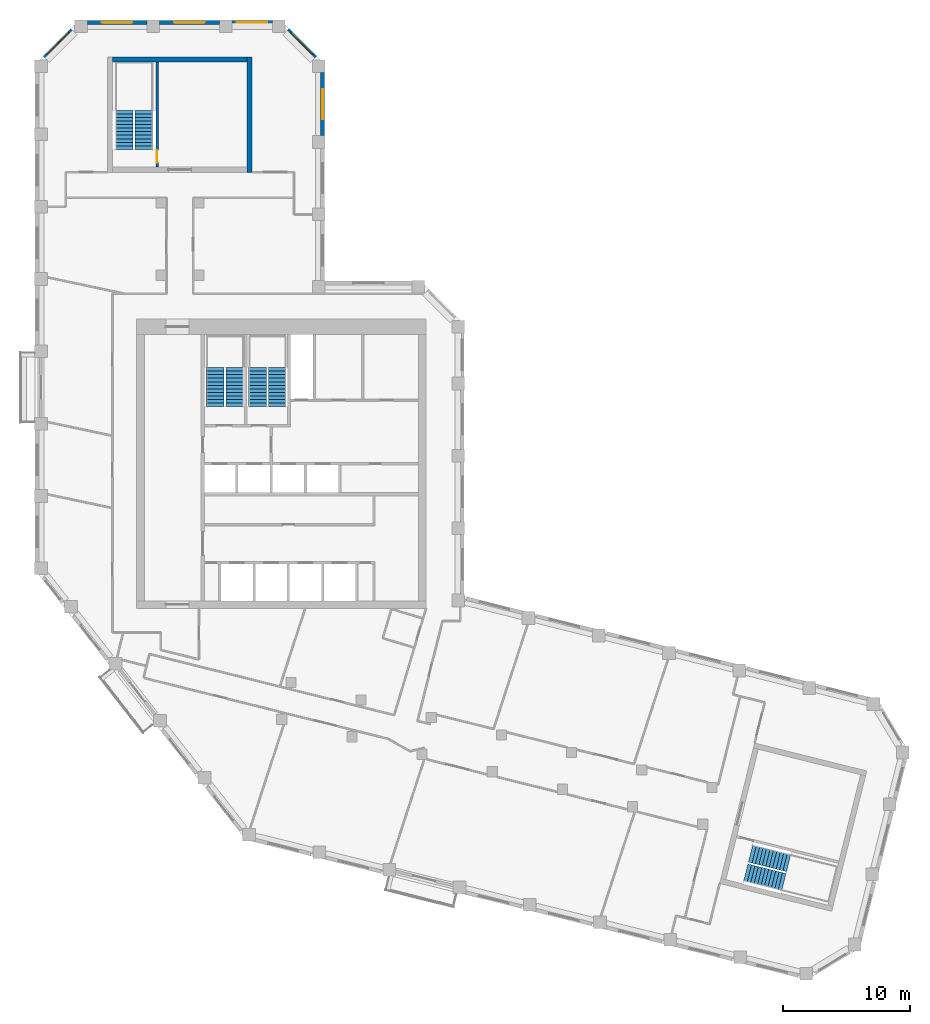
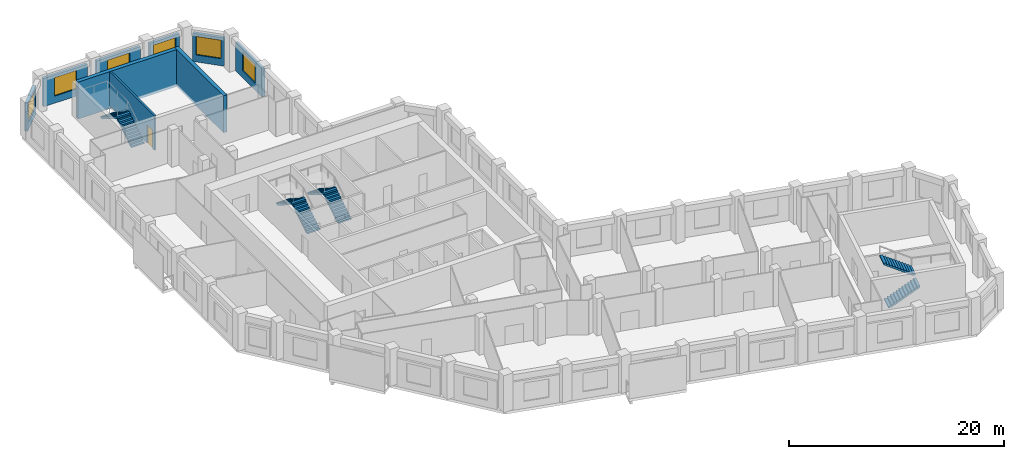
# One storey, part 8 of 9: 9 walls, 8 stair flights, 6 windows, 1 door, 7 openings, 4 elements without a shape of their own.
"""IFC4 building model written with IfcOpenShell, lengths in metres."""

import ifcopenshell
import ifcopenshell.guid

model = None  # the IFC model being written
_history = None  # IfcOwnerHistory: only IFC2X3 demands one
_inside = {}  # id of a spatial element -> (the spatial element, [elements in it])
_under = {}  # id of a project, library or spatial element -> (it, [spatial elements below it])
_declared = {}  # id of a project -> (the project, [libraries it declares])
_typed = {}  # id of a type object -> (the type object, [elements of that type])
_made_of = {}  # id of a material, layer set ... -> (it, [elements and type objects made of it])


def new_model(schema):
    """Start an empty IFC model of exactly this schema.

    Asked for "IFC4X3", IfcOpenShell would pick the latest addendum, in which some entities
    have other attributes; the version numbers below select the first issue.
    IFC2X3 requires an IfcOwnerHistory on every rooted entity: one is made here for all.
    """
    global model, _history
    if schema == "IFC4X3":
        model = ifcopenshell.file(schema_version=(4, 3, 0, 0))
    else:
        model = ifcopenshell.file(schema=schema)
    _inside.clear()
    _under.clear()
    _declared.clear()
    _typed.clear()
    _made_of.clear()
    _history = None
    if model.schema == "IFC2X3":
        org = make("IfcOrganization", Name="unknown")
        user = make(
            "IfcPersonAndOrganization",
            ThePerson=make("IfcPerson", FamilyName="unknown"),
            TheOrganization=org,
        )
        app = make(
            "IfcApplication",
            ApplicationDeveloper=org,
            Version="unknown",
            ApplicationFullName="unknown",
            ApplicationIdentifier="unknown",
        )
        _history = make(
            "IfcOwnerHistory",
            OwningUser=user,
            OwningApplication=app,
            ChangeAction="ADDED",
            CreationDate=0,
        )
    return model


def make(cls, **values):
    """One entity of the class cls with the attributes given. An attribute that is None is left unset."""
    return model.create_entity(
        cls, **{name: value for name, value in values.items() if value is not None}
    )


def rooted(cls, **values):
    """An entity with a GlobalId (a new one), such as an element, a storey or a relation."""
    return make(cls, GlobalId=ifcopenshell.guid.new(), OwnerHistory=_history, **values)


def si_unit(unit_type, name, prefix=None):
    """IfcSIUnit, for example si_unit("LENGTHUNIT", "METRE", prefix="MILLI")."""
    return make("IfcSIUnit", UnitType=unit_type, Prefix=prefix, Name=name)


def assignment(units):
    """IfcUnitAssignment: the units of a project."""
    return None if units is None else make("IfcUnitAssignment", Units=units)


def point(xyz):
    """IfcCartesianPoint."""
    return None if xyz is None else make("IfcCartesianPoint", Coordinates=xyz)


def direction(xyz):
    """IfcDirection."""
    return None if xyz is None else make("IfcDirection", DirectionRatios=xyz)


def frame(location, z_axis=None, x_axis=None):
    """IfcAxis2Placement3D, a coordinate frame: its origin and axes. An axis left out is left unset."""
    return make(
        "IfcAxis2Placement3D",
        Location=point(location),
        Axis=direction(z_axis),
        RefDirection=direction(x_axis),
    )


def frame_2d(location, x_axis=None):
    """IfcAxis2Placement2D, a coordinate frame in the plane: its origin and x axis."""
    return make(
        "IfcAxis2Placement2D", Location=point(location), RefDirection=direction(x_axis)
    )


def origin():
    """The frame at (0, 0, 0) with its axes left unset."""
    return frame((0.0, 0.0, 0.0))


def place(relative_to, where):
    """IfcLocalPlacement: puts the frame where relative to a parent placement (None: the world)."""
    return make(
        "IfcLocalPlacement", PlacementRelTo=relative_to, RelativePlacement=where
    )


def context(
    kind, dimensions, precision=None, world=None, true_north=None, identifier=None
):
    """IfcGeometricRepresentationContext, for example the 3D "Model" context."""
    return make(
        "IfcGeometricRepresentationContext",
        ContextIdentifier=identifier,
        ContextType=kind,
        CoordinateSpaceDimension=dimensions,
        Precision=precision,
        WorldCoordinateSystem=world,
        TrueNorth=true_north,
    )


def subcontext(parent, identifier, kind, view, scale=None):
    """IfcGeometricRepresentationSubContext, for example "Body" below "Model"."""
    return make(
        "IfcGeometricRepresentationSubContext",
        ContextIdentifier=identifier,
        ContextType=kind,
        ParentContext=parent,
        TargetScale=scale,
        TargetView=view,
    )


def project(units=None, contexts=None):
    """IfcProject with its units and contexts."""
    return rooted(
        "IfcProject",
        Name="project",
        RepresentationContexts=contexts,
        UnitsInContext=assignment(units),
    )


def spatial(cls, under=None, at=None, **own):
    """A site, building, storey or space (cls), placed at a placement, below another one or the project."""
    s = rooted(cls, ObjectPlacement=at, **own)
    if under is not None:
        _under.setdefault(under.id(), (under, []))[1].append(s)
    return s


def polyline(points):
    """IfcPolyline through the points."""
    return make("IfcPolyline", Points=[point(p) for p in points])


def profile(cls, at=None, kind="AREA", **sizes):
    """A parametric profile (cls). Its sizes go by their IFC names, for example OverallWidth=200.0."""
    return make(cls, ProfileType=kind, Position=at, **sizes)


def rectangle(**sizes):
    """IfcRectangleProfileDef."""
    return profile("IfcRectangleProfileDef", **sizes)


def outline(outer, holes=None, kind="AREA"):
    """IfcArbitraryClosedProfileDef: a profile drawn as a closed curve; with holes, ...WithVoids."""
    if holes is None:
        return make("IfcArbitraryClosedProfileDef", ProfileType=kind, OuterCurve=outer)
    return make(
        "IfcArbitraryProfileDefWithVoids",
        ProfileType=kind,
        OuterCurve=outer,
        InnerCurves=holes,
    )


def extrude(swept, where, along, depth):
    """IfcExtrudedAreaSolid: the profile swept, set in the frame where, extruded along a direction by depth."""
    return make(
        "IfcExtrudedAreaSolid",
        SweptArea=swept,
        Position=where,
        ExtrudedDirection=direction(along),
        Depth=depth,
    )


def shape(context_of_items, identifier, shape_type, items):
    """IfcShapeRepresentation: the items that make up one representation, for example the "Body"."""
    return make(
        "IfcShapeRepresentation",
        ContextOfItems=context_of_items,
        RepresentationIdentifier=identifier,
        RepresentationType=shape_type,
        Items=items,
    )


def material(Name=None, Category=None):
    """IfcMaterial."""
    return make("IfcMaterial", Name=Name, Category=Category)


def layer(
    of_material, thickness, ventilated=None, Name=None, Category=None, Priority=None
):
    """IfcMaterialLayer: one layer of a wall or slab, of a material (None: an air gap)."""
    return make(
        "IfcMaterialLayer",
        Material=of_material,
        LayerThickness=thickness,
        IsVentilated=ventilated,
        Name=Name,
        Category=Category,
        Priority=Priority,
    )


def layer_set(layers, Name=None):
    """IfcMaterialLayerSet."""
    return make("IfcMaterialLayerSet", MaterialLayers=layers, LayerSetName=Name)


def made_of(thing, what):
    """Note that an element or type object is made of a material, layer set ...; save() writes the relation."""
    if what is not None:
        _made_of.setdefault(what.id(), (what, []))[1].append(thing)
    return thing


def type_object(cls, material=None, **own):
    """A type object (cls), such as IfcWallType, which elements share."""
    return made_of(rooted(cls, **own), material)


def element(
    cls,
    number,
    at=None,
    inside=None,
    cuts=None,
    type_object=None,
    material=None,
    context=None,
    identifier="Body",
    shape_type=None,
    held_by="IfcProductDefinitionShape",
    body=None,
    shapes=None,
    **own,
):
    """One element of the class cls, such as IfcWall. Its Tag is "e" and its number.

    at: its placement. inside: the storey or other place that contains it. cuts: it is an
    opening in that element (IfcRelVoidsElement). A single representation is given by context,
    identifier, shape_type and body (its items); several are given by shapes. held_by: the class
    of the entity that holds the representations. save() writes the other relations.
    """
    e = rooted(cls, Tag="e%d" % number, ObjectPlacement=at, **own)
    if body is not None:
        shapes = [shape(context, identifier, shape_type, body)]
    if shapes is not None:
        e.Representation = make(held_by, Representations=shapes)
    if inside is not None:
        _inside.setdefault(inside.id(), (inside, []))[1].append(e)
    if cuts is not None:
        rooted(
            "IfcRelVoidsElement", RelatingBuildingElement=cuts, RelatedOpeningElement=e
        )
    if type_object is not None:
        _typed.setdefault(type_object.id(), (type_object, []))[1].append(e)
    return made_of(e, material)


def fill(opening, filler):
    """IfcRelFillsElement: the door or window that sits in an opening."""
    return rooted(
        "IfcRelFillsElement",
        RelatingOpeningElement=opening,
        RelatedBuildingElement=filler,
    )


def aggregate(whole, parts):
    """IfcRelAggregates: a whole, such as a stair, and the parts it consists of."""
    return rooted("IfcRelAggregates", RelatingObject=whole, RelatedObjects=parts)


def save(model, path):
    """Write the relations noted so far, then the file.

    IfcRelAggregates (storeys below a building ...), IfcRelContainedInSpatialStructure (elements
    in a storey), IfcRelDefinesByType, IfcRelAssociatesMaterial and IfcRelDeclares: one each for
    every whole, place, type object, material and project.
    """
    for whole, parts in _under.values():
        aggregate(whole, parts)
    for where, things in _inside.values():
        rooted(
            "IfcRelContainedInSpatialStructure",
            RelatedElements=things,
            RelatingStructure=where,
        )
    for kind, things in _typed.values():
        rooted("IfcRelDefinesByType", RelatedObjects=things, RelatingType=kind)
    for what, things in _made_of.values():
        rooted("IfcRelAssociatesMaterial", RelatedObjects=things, RelatingMaterial=what)
    for by, libraries in _declared.values():
        rooted("IfcRelDeclares", RelatingContext=by, RelatedDefinitions=libraries)
    model.write(path)


model = new_model("IFC4")

# Units and contexts
model_context = context("Model", 3, precision=1e-05, world=origin(), true_north=direction((0.0, 1.0)))
body_context = subcontext(model_context, "Body", "Model", "MODEL_VIEW")
ifc_project = project(units=[si_unit("LENGTHUNIT", "METRE"), si_unit("AREAUNIT", "SQUARE_METRE"), si_unit("VOLUMEUNIT", "CUBIC_METRE"), si_unit("PLANEANGLEUNIT", "RADIAN"), si_unit("MASSUNIT", "GRAM", prefix="KILO")], contexts=[model_context])

# Site, building, storey
site_placement = place(None, origin())
site = spatial("IfcSite", under=ifc_project, at=site_placement, CompositionType="ELEMENT")
building_placement = place(site_placement, origin())
building = spatial("IfcBuilding", under=site, at=building_placement, Name="Meshkara Civic Tower", CompositionType="ELEMENT")
storey_placement = place(building_placement, frame((0.0, 0.0, 331.800048828125)))
storey = spatial("IfcBuildingStorey", under=building, at=storey_placement, Name="L76", CompositionType="ELEMENT", Elevation=331.800048828125)

# Wall, opening, window
ifc_material_1 = material(Name="Insulated infill panel with bronze anodised aluminium cladding", Category="aluminium")
ifc_layer_1 = layer(ifc_material_1, 0.300048828125)
ifc_layer_set_1 = layer_set([ifc_layer_1], Name="EXTERNAL INFILL WALL 300")
wall_type_1 = type_object("IfcWallType", Name="EXTERNAL INFILL WALL 300", PredefinedType="SOLIDWALL", material=ifc_layer_set_1)
wall_1_placement = place(storey_placement, frame((22.64990234375, 51.35009765625, 0.0), z_axis=(0.0, 0.0, 1.0), x_axis=(0.0, 1.0, 0.0)))
wall_1 = element("IfcWall", 1, at=wall_1_placement, inside=storey, type_object=wall_type_1, Name="External wall", PredefinedType="SOLIDWALL", context=body_context, shape_type="SweptSolid", body=[
    extrude(rectangle(XDim=4.9638671875, YDim=0.300048828125, at=frame_2d((2.48193359375, 0.0))), origin(), (0.0, 0.0, 1.0), 3.199951171875),
])
opening_1_placement = place(wall_1_placement, frame((1.281982421875, 0.0, 0.800048828125)))
opening_1 = element("IfcOpeningElement", 2, at=opening_1_placement, cuts=wall_1, Name="Opening W7", PredefinedType="OPENING", context=body_context, shape_type="SweptSolid", body=[
    extrude(rectangle(XDim=2.39990234375, YDim=2.10009765625, at=frame_2d((1.199951171875, 1.050048828125))), frame((0.0, 0.159912109375, 0.0), z_axis=(0.0, -1.0, 0.0), x_axis=(1.0, 0.0, 0.0)), (0.0, 0.0, 1.0), 0.320068359375),
])
ifc_material_2 = material(Name="Tinted double glazing", Category="glass")
window_type = type_object("IfcWindowType", Name="WINDOW 2400x2100", PartitioningType="DOUBLE_PANEL_VERTICAL", PredefinedType="WINDOW", material=ifc_material_2)
window_1_placement = place(opening_1_placement, origin())
window_1 = element("IfcWindow", 3, at=window_1_placement, inside=storey, type_object=window_type, Name="Window", OverallHeight=2.10009765625, OverallWidth=2.39990234375, PartitioningType="DOUBLE_PANEL_VERTICAL", PredefinedType="WINDOW", context=body_context, shape_type="SweptSolid", body=[
    extrude(rectangle(XDim=2.39990234375, YDim=2.10009765625, at=frame_2d((1.199951171875, 1.050048828125))), frame((0.0, 0.030029296875, 0.0), z_axis=(0.0, -1.0, 0.0), x_axis=(1.0, 0.0, 0.0)), (0.0, 0.0, 1.0), 0.06005859375),
])
fill(opening_1, window_1)

wall_2_placement = place(storey_placement, frame((22.06201171875, 57.52587890625, 0.0), z_axis=(0.0, 0.0, 1.0), x_axis=(-0.707106781187, 0.707106781187, 0.0)))
wall_2 = element("IfcWall", 4, at=wall_2_placement, inside=storey, type_object=wall_type_1, Name="External wall", PredefinedType="SOLIDWALL", context=body_context, shape_type="SweptSolid", body=[
    extrude(rectangle(XDim=3.049072265625, YDim=0.300048828125, at=frame_2d((1.5244140625, 0.0))), origin(), (0.0, 0.0, 1.0), 3.199951171875),
])
opening_2_placement = place(wall_2_placement, frame((0.324951171875, 0.0, 0.800048828125)))
opening_2 = element("IfcOpeningElement", 5, at=opening_2_placement, cuts=wall_2, Name="Opening W7", PredefinedType="OPENING", context=body_context, shape_type="SweptSolid", body=[
    extrude(rectangle(XDim=2.39990234375, YDim=2.10009765625, at=frame_2d((1.199951171875, 1.050048828125))), frame((0.0, 0.159912109375, 0.0), z_axis=(0.0, -1.0, 0.0), x_axis=(1.0, 0.0, 0.0)), (0.0, 0.0, 1.0), 0.320068359375),
])
window_2_placement = place(opening_2_placement, origin())
window_2 = element("IfcWindow", 6, at=window_2_placement, inside=storey, type_object=window_type, Name="Window", OverallHeight=2.10009765625, OverallWidth=2.39990234375, PartitioningType="DOUBLE_PANEL_VERTICAL", PredefinedType="WINDOW", context=body_context, shape_type="SweptSolid", body=[
    extrude(rectangle(XDim=2.39990234375, YDim=2.10009765625, at=frame_2d((1.199951171875, 1.050048828125))), frame((0.0, 0.030029296875, 0.0), z_axis=(0.0, -1.0, 0.0), x_axis=(1.0, 0.0, 0.0)), (0.0, 0.0, 1.0), 0.06005859375),
])
fill(opening_2, window_2)

wall_3_placement = place(storey_placement, frame((18.694091796875, 60.27001953125, 0.0), z_axis=(0.0, 0.0, 1.0), x_axis=(-1.0, 0.0, 0.0)))
wall_3 = element("IfcWall", 7, at=wall_3_placement, inside=storey, type_object=wall_type_1, Name="External wall", PredefinedType="SOLIDWALL", context=body_context, shape_type="SweptSolid", body=[
    extrude(rectangle(XDim=3.18798828125, YDim=0.300048828125, at=frame_2d((1.593994140625, 0.0))), origin(), (0.0, 0.0, 1.0), 3.199951171875),
])
opening_3_placement = place(wall_3_placement, frame((0.39404296875, 0.0, 0.800048828125)))
opening_3 = element("IfcOpeningElement", 8, at=opening_3_placement, cuts=wall_3, Name="Opening W7", PredefinedType="OPENING", context=body_context, shape_type="SweptSolid", body=[
    extrude(rectangle(XDim=2.39990234375, YDim=2.10009765625, at=frame_2d((1.199951171875, 1.050048828125))), frame((0.0, 0.159912109375, 0.0), z_axis=(0.0, -1.0, 0.0), x_axis=(1.0, 0.0, 0.0)), (0.0, 0.0, 1.0), 0.320068359375),
])
window_3_placement = place(opening_3_placement, origin())
window_3 = element("IfcWindow", 9, at=window_3_placement, inside=storey, type_object=window_type, Name="Window", OverallHeight=2.10009765625, OverallWidth=2.39990234375, PartitioningType="DOUBLE_PANEL_VERTICAL", PredefinedType="WINDOW", context=body_context, shape_type="SweptSolid", body=[
    extrude(rectangle(XDim=2.39990234375, YDim=2.10009765625, at=frame_2d((1.199951171875, 1.050048828125))), frame((0.0, 0.030029296875, 0.0), z_axis=(0.0, -1.0, 0.0), x_axis=(1.0, 0.0, 0.0)), (0.0, 0.0, 1.0), 0.06005859375),
])
fill(opening_3, window_3)

wall_4_placement = place(storey_placement, frame((14.506103515625, 60.27001953125, 0.0), z_axis=(0.0, 0.0, 1.0), x_axis=(-1.0, 0.0, 0.0)))
wall_4 = element("IfcWall", 10, at=wall_4_placement, inside=storey, type_object=wall_type_1, Name="External wall", PredefinedType="SOLIDWALL", context=body_context, shape_type="SweptSolid", body=[
    extrude(rectangle(XDim=4.7001953125, YDim=0.300048828125, at=frame_2d((2.35009765625, 0.0))), origin(), (0.0, 0.0, 1.0), 3.199951171875),
])
opening_4_placement = place(wall_4_placement, frame((1.14990234375, 0.0, 0.800048828125)))
opening_4 = element("IfcOpeningElement", 11, at=opening_4_placement, cuts=wall_4, Name="Opening W7", PredefinedType="OPENING", context=body_context, shape_type="SweptSolid", body=[
    extrude(rectangle(XDim=2.39990234375, YDim=2.10009765625, at=frame_2d((1.199951171875, 1.050048828125))), frame((0.0, 0.159912109375, 0.0), z_axis=(0.0, -1.0, 0.0), x_axis=(1.0, 0.0, 0.0)), (0.0, 0.0, 1.0), 0.320068359375),
])
window_4_placement = place(opening_4_placement, origin())
window_4 = element("IfcWindow", 12, at=window_4_placement, inside=storey, type_object=window_type, Name="Window", OverallHeight=2.10009765625, OverallWidth=2.39990234375, PartitioningType="DOUBLE_PANEL_VERTICAL", PredefinedType="WINDOW", context=body_context, shape_type="SweptSolid", body=[
    extrude(rectangle(XDim=2.39990234375, YDim=2.10009765625, at=frame_2d((1.199951171875, 1.050048828125))), frame((0.0, 0.030029296875, 0.0), z_axis=(0.0, -1.0, 0.0), x_axis=(1.0, 0.0, 0.0)), (0.0, 0.0, 1.0), 0.06005859375),
])
fill(opening_4, window_4)

wall_5_placement = place(storey_placement, frame((8.805908203125, 60.27001953125, 0.0), z_axis=(0.0, 0.0, 1.0), x_axis=(-1.0, 0.0, 0.0)))
wall_5 = element("IfcWall", 13, at=wall_5_placement, inside=storey, type_object=wall_type_1, Name="External wall", PredefinedType="SOLIDWALL", context=body_context, shape_type="SweptSolid", body=[
    extrude(rectangle(XDim=4.699951171875, YDim=0.300048828125, at=frame_2d((2.35009765625, 0.0))), origin(), (0.0, 0.0, 1.0), 3.199951171875),
])
opening_5_placement = place(wall_5_placement, frame((1.14990234375, 0.0, 0.800048828125)))
opening_5 = element("IfcOpeningElement", 14, at=opening_5_placement, cuts=wall_5, Name="Opening W7", PredefinedType="OPENING", context=body_context, shape_type="SweptSolid", body=[
    extrude(rectangle(XDim=2.39990234375, YDim=2.10009765625, at=frame_2d((1.199951171875, 1.050048828125))), frame((0.0, 0.159912109375, 0.0), z_axis=(0.0, -1.0, 0.0), x_axis=(1.0, 0.0, 0.0)), (0.0, 0.0, 1.0), 0.320068359375),
])
window_5_placement = place(opening_5_placement, origin())
window_5 = element("IfcWindow", 15, at=window_5_placement, inside=storey, type_object=window_type, Name="Window", OverallHeight=2.10009765625, OverallWidth=2.39990234375, PartitioningType="DOUBLE_PANEL_VERTICAL", PredefinedType="WINDOW", context=body_context, shape_type="SweptSolid", body=[
    extrude(rectangle(XDim=2.39990234375, YDim=2.10009765625, at=frame_2d((1.199951171875, 1.050048828125))), frame((0.0, 0.030029296875, 0.0), z_axis=(0.0, -1.0, 0.0), x_axis=(1.0, 0.0, 0.0)), (0.0, 0.0, 1.0), 0.06005859375),
])
fill(opening_5, window_5)

wall_6_placement = place(storey_placement, frame((2.89404296875, 59.681884765625, 0.0), z_axis=(0.0, 0.0, 1.0), x_axis=(-0.707106781187, -0.707106781187, 0.0)))
wall_6 = element("IfcWall", 16, at=wall_6_placement, inside=storey, type_object=wall_type_1, Name="External wall", PredefinedType="SOLIDWALL", context=body_context, shape_type="SweptSolid", body=[
    extrude(rectangle(XDim=3.049072265625, YDim=0.300048828125, at=frame_2d((1.5244140625, 0.0))), origin(), (0.0, 0.0, 1.0), 3.199951171875),
])
opening_6_placement = place(wall_6_placement, frame((0.324951171875, 0.0, 0.800048828125)))
opening_6 = element("IfcOpeningElement", 17, at=opening_6_placement, cuts=wall_6, Name="Opening W7", PredefinedType="OPENING", context=body_context, shape_type="SweptSolid", body=[
    extrude(rectangle(XDim=2.39990234375, YDim=2.10009765625, at=frame_2d((1.199951171875, 1.050048828125))), frame((0.0, 0.159912109375, 0.0), z_axis=(0.0, -1.0, 0.0), x_axis=(1.0, 0.0, 0.0)), (0.0, 0.0, 1.0), 0.320068359375),
])
window_6_placement = place(opening_6_placement, origin())
window_6 = element("IfcWindow", 18, at=window_6_placement, inside=storey, type_object=window_type, Name="Window", OverallHeight=2.10009765625, OverallWidth=2.39990234375, PartitioningType="DOUBLE_PANEL_VERTICAL", PredefinedType="WINDOW", context=body_context, shape_type="SweptSolid", body=[
    extrude(rectangle(XDim=2.39990234375, YDim=2.10009765625, at=frame_2d((1.199951171875, 1.050048828125))), frame((0.0, 0.030029296875, 0.0), z_axis=(0.0, -1.0, 0.0), x_axis=(1.0, 0.0, 0.0)), (0.0, 0.0, 1.0), 0.06005859375),
])
fill(opening_6, window_6)

# Walls
ifc_material_3 = material(Name="Concrete C60", Category="concrete")
ifc_layer_2 = layer(ifc_material_3, 0.39990234375)
ifc_layer_set_2 = layer_set([ifc_layer_2], Name="End core ring wall 400 C60")
wall_type_2 = type_object("IfcWallType", Name="End core ring wall 400 C60", PredefinedType="SHEAR", material=ifc_layer_set_2)
wall_7_placement = place(storey_placement, frame((16.89990234375, 48.469970703125, -0.300048828125), z_axis=(0.0, 0.0, 1.0), x_axis=(0.0, 1.0, 0.0)))
element("IfcWall", 19, at=wall_7_placement, inside=storey, type_object=wall_type_2, Name="L76-C028", PredefinedType="SHEAR", context=body_context, shape_type="SweptSolid", body=[
    extrude(rectangle(XDim=9.10009765625, YDim=0.39990234375, at=frame_2d((4.550048828125, 0.0))), origin(), (0.0, 0.0, 1.0), 4.199951171875),
])
wall_8_placement = place(storey_placement, frame((6.10009765625, 57.3701171875, -0.300048828125), z_axis=(0.0, 0.0, 1.0), x_axis=(1.0, 0.0, 0.0)))
element("IfcWall", 20, at=wall_8_placement, inside=storey, type_object=wall_type_2, Name="L76-C030", PredefinedType="SHEAR", context=body_context, shape_type="SweptSolid", body=[
    extrude(rectangle(XDim=10.599853515625, YDim=0.39990234375, at=frame_2d((5.2998046875, 0.0))), origin(), (0.0, 0.0, 1.0), 4.199951171875),
])

# Wall, opening, door
ifc_material_4 = material(Name="Concrete C40/50", Category="concrete")
ifc_layer_3 = layer(ifc_material_4, 0.199951171875)
ifc_layer_set_3 = layer_set([ifc_layer_3], Name="Stair enclosure wall 200 C40/50")
wall_type_3 = type_object("IfcWallType", Name="Stair enclosure wall 200 C40/50", PredefinedType="SOLIDWALL", material=ifc_layer_set_3)
wall_9_placement = place(storey_placement, frame((9.60009765625, 48.8701171875, 0.0), z_axis=(0.0, 0.0, 1.0), x_axis=(0.0, 1.0, 0.0)))
wall_9 = element("IfcWall", 21, at=wall_9_placement, inside=storey, type_object=wall_type_3, Name="L76-C031", PredefinedType="SOLIDWALL", context=body_context, shape_type="SweptSolid", body=[
    extrude(rectangle(XDim=8.2998046875, YDim=0.199951171875, at=frame_2d((4.14990234375, 0.0))), origin(), (0.0, 0.0, 1.0), 3.89990234375),
])
opening_7_placement = place(wall_9_placement, frame((0.35009765625, 0.0, 0.0)))
opening_7 = element("IfcOpeningElement", 22, at=opening_7_placement, cuts=wall_9, Name="Opening L76-K101", PredefinedType="OPENING", context=body_context, shape_type="SweptSolid", body=[
    extrude(rectangle(XDim=1.0, YDim=2.10009765625, at=frame_2d((0.5, 1.050048828125))), frame((0.0, 0.10986328125, 0.0), z_axis=(0.0, -1.0, 0.0), x_axis=(1.0, 0.0, 0.0)), (0.0, 0.0, 1.0), 0.219970703125),
])
ifc_material_5 = material(Name="Fire-rated door leaf in steel frame", Category="steel")
door_type = type_object("IfcDoorType", Name="Stair door 1000 EI 120", OperationType="SINGLE_SWING_LEFT", PredefinedType="DOOR", material=ifc_material_5)
door_placement = place(opening_7_placement, origin())
door = element("IfcDoor", 23, at=door_placement, inside=storey, type_object=door_type, Name="L76-K101", OperationType="SINGLE_SWING_RIGHT", OverallHeight=2.10009765625, OverallWidth=1.0, PredefinedType="DOOR", context=body_context, shape_type="SweptSolid", body=[
    extrude(rectangle(XDim=1.0, YDim=2.10009765625, at=frame_2d((0.5, 1.050048828125))), frame((0.0, 0.02490234375, 0.0), z_axis=(0.0, -1.0, 0.0), x_axis=(1.0, 0.0, 0.0)), (0.0, 0.0, 1.0), 0.050048828125),
])
fill(opening_7, door)

# Stair, stair flights
ifc_material_6 = material(Name="Precast concrete C40/50", Category="concrete")
stair_type = type_object("IfcStairType", Name="Exit stair half-turn 24 risers precast", PredefinedType="HALF_TURN_STAIR", material=ifc_material_6)
stair_1_placement = place(storey_placement, origin())
stair_1 = element("IfcStair", 24, at=stair_1_placement, inside=storey, type_object=stair_type, Name="L76 exit stair 1", PredefinedType="HALF_TURN_STAIR")
ifc_material_7 = material(Name="Precast concrete C40/50", Category="concrete")
stair_flight_type = type_object("IfcStairFlightType", Name="Exit stair flight 12 risers precast", PredefinedType="STRAIGHT", material=ifc_material_7)
stair_flight_1_placement = place(storey_placement, frame((15.72509765625, 30.0, 0.0), z_axis=(0.0, 0.0, 1.0), x_axis=(0.0, 1.0, 0.0)))
stair_flight_1 = element("IfcStairFlight", 25, at=stair_flight_1_placement, type_object=stair_flight_type, Name="ST1 flight 1", NumberOfRisers=12, NumberOfTreads=11, PredefinedType="STRAIGHT", RiserHeight=0.175, TreadLength=0.28, context=body_context, shape_type="SweptSolid", body=[
    extrude(outline(polyline([(0.0, 0.0), (0.0, 0.175048828125), (0.280029296875, 0.175048828125), (0.280029296875, 0.35009765625), (0.56005859375, 0.35009765625), (0.56005859375, 0.52490234375), (0.840087890625, 0.52490234375), (0.840087890625, 0.699951171875), (1.1201171875, 0.699951171875), (1.1201171875, 0.875), (1.39990234375, 0.875), (1.39990234375, 1.050048828125), (1.679931640625, 1.050048828125), (1.679931640625, 1.22509765625), (1.9599609375, 1.22509765625), (1.9599609375, 1.39990234375), (2.239990234375, 1.39990234375), (2.239990234375, 1.574951171875), (2.52001953125, 1.574951171875), (2.52001953125, 1.75), (2.800048828125, 1.75), (2.800048828125, 1.925048828125), (3.080078125, 1.925048828125), (3.080078125, 2.10009765625), (3.080078125, 1.748291015625), (0.28271484375, 0.0), (0.0, 0.0)])), frame((0.0, 0.699951171875, 0.0), z_axis=(0.0, -1.0, 0.0), x_axis=(1.0, 0.0, 0.0)), (0.0, 0.0, 1.0), 1.39990234375),
])
stair_flight_2_placement = place(storey_placement, frame((14.175048828125, 33.080078125, 2.099853515625), z_axis=(0.0, 0.0, 1.0), x_axis=(0.0, -1.0, 0.0)))
stair_flight_2 = element("IfcStairFlight", 26, at=stair_flight_2_placement, type_object=stair_flight_type, Name="ST1 flight 2", NumberOfRisers=12, NumberOfTreads=11, PredefinedType="STRAIGHT", RiserHeight=0.175, TreadLength=0.28, context=body_context, shape_type="SweptSolid", body=[
    extrude(outline(polyline([(0.0, 0.0), (0.0, 0.175048828125), (0.280029296875, 0.175048828125), (0.280029296875, 0.35009765625), (0.56005859375, 0.35009765625), (0.56005859375, 0.52490234375), (0.840087890625, 0.52490234375), (0.840087890625, 0.699951171875), (1.1201171875, 0.699951171875), (1.1201171875, 0.875), (1.39990234375, 0.875), (1.39990234375, 1.050048828125), (1.679931640625, 1.050048828125), (1.679931640625, 1.22509765625), (1.9599609375, 1.22509765625), (1.9599609375, 1.39990234375), (2.239990234375, 1.39990234375), (2.239990234375, 1.574951171875), (2.52001953125, 1.574951171875), (2.52001953125, 1.75), (2.800048828125, 1.75), (2.800048828125, 1.925048828125), (3.080078125, 1.925048828125), (3.080078125, 2.10009765625), (3.080078125, 1.748291015625), (0.28271484375, 0.0), (0.0, 0.0)])), frame((0.0, 0.699951171875, 0.0), z_axis=(0.0, -1.0, 0.0), x_axis=(1.0, 0.0, 0.0)), (0.0, 0.0, 1.0), 1.39990234375),
])
aggregate(stair_1, [stair_flight_1, stair_flight_2])

stair_2_placement = place(storey_placement, origin())
stair_2 = element("IfcStair", 27, at=stair_2_placement, inside=storey, type_object=stair_type, Name="L76 exit stair 2", PredefinedType="HALF_TURN_STAIR")
stair_flight_3_placement = place(storey_placement, frame((19.074951171875, 30.0, 0.0), z_axis=(0.0, 0.0, 1.0), x_axis=(0.0, 1.0, 0.0)))
stair_flight_3 = element("IfcStairFlight", 28, at=stair_flight_3_placement, type_object=stair_flight_type, Name="ST2 flight 1", NumberOfRisers=12, NumberOfTreads=11, PredefinedType="STRAIGHT", RiserHeight=0.175, TreadLength=0.28, context=body_context, shape_type="SweptSolid", body=[
    extrude(outline(polyline([(0.0, 0.0), (0.0, 0.175048828125), (0.280029296875, 0.175048828125), (0.280029296875, 0.35009765625), (0.56005859375, 0.35009765625), (0.56005859375, 0.52490234375), (0.840087890625, 0.52490234375), (0.840087890625, 0.699951171875), (1.1201171875, 0.699951171875), (1.1201171875, 0.875), (1.39990234375, 0.875), (1.39990234375, 1.050048828125), (1.679931640625, 1.050048828125), (1.679931640625, 1.22509765625), (1.9599609375, 1.22509765625), (1.9599609375, 1.39990234375), (2.239990234375, 1.39990234375), (2.239990234375, 1.574951171875), (2.52001953125, 1.574951171875), (2.52001953125, 1.75), (2.800048828125, 1.75), (2.800048828125, 1.925048828125), (3.080078125, 1.925048828125), (3.080078125, 2.10009765625), (3.080078125, 1.748291015625), (0.28271484375, 0.0), (0.0, 0.0)])), frame((0.0, 0.699951171875, 0.0), z_axis=(0.0, -1.0, 0.0), x_axis=(1.0, 0.0, 0.0)), (0.0, 0.0, 1.0), 1.39990234375),
])
stair_flight_4_placement = place(storey_placement, frame((17.52490234375, 33.080078125, 2.099853515625), z_axis=(0.0, 0.0, 1.0), x_axis=(0.0, -1.0, 0.0)))
stair_flight_4 = element("IfcStairFlight", 29, at=stair_flight_4_placement, type_object=stair_flight_type, Name="ST2 flight 2", NumberOfRisers=12, NumberOfTreads=11, PredefinedType="STRAIGHT", RiserHeight=0.175, TreadLength=0.28, context=body_context, shape_type="SweptSolid", body=[
    extrude(outline(polyline([(0.0, 0.0), (0.0, 0.175048828125), (0.280029296875, 0.175048828125), (0.280029296875, 0.35009765625), (0.56005859375, 0.35009765625), (0.56005859375, 0.52490234375), (0.840087890625, 0.52490234375), (0.840087890625, 0.699951171875), (1.1201171875, 0.699951171875), (1.1201171875, 0.875), (1.39990234375, 0.875), (1.39990234375, 1.050048828125), (1.679931640625, 1.050048828125), (1.679931640625, 1.22509765625), (1.9599609375, 1.22509765625), (1.9599609375, 1.39990234375), (2.239990234375, 1.39990234375), (2.239990234375, 1.574951171875), (2.52001953125, 1.574951171875), (2.52001953125, 1.75), (2.800048828125, 1.75), (2.800048828125, 1.925048828125), (3.080078125, 1.925048828125), (3.080078125, 2.10009765625), (3.080078125, 1.748291015625), (0.28271484375, 0.0), (0.0, 0.0)])), frame((0.0, 0.699951171875, 0.0), z_axis=(0.0, -1.0, 0.0), x_axis=(1.0, 0.0, 0.0)), (0.0, 0.0, 1.0), 1.39990234375),
])
aggregate(stair_2, [stair_flight_3, stair_flight_4])

stair_3_placement = place(storey_placement, origin())
stair_3 = element("IfcStair", 30, at=stair_3_placement, inside=storey, type_object=stair_type, Name="L76 exit stair A from L65", PredefinedType="HALF_TURN_STAIR")
stair_flight_5_placement = place(storey_placement, frame((8.574951171875, 50.27001953125, 0.0), z_axis=(0.0, 0.0, 1.0), x_axis=(0.0, 1.0, 0.0)))
stair_flight_5 = element("IfcStairFlight", 31, at=stair_flight_5_placement, type_object=stair_flight_type, Name="ESA5 flight 1", NumberOfRisers=12, NumberOfTreads=11, PredefinedType="STRAIGHT", RiserHeight=0.175, TreadLength=0.28, context=body_context, shape_type="SweptSolid", body=[
    extrude(outline(polyline([(0.0, 0.0), (0.0, 0.175048828125), (0.280029296875, 0.175048828125), (0.280029296875, 0.35009765625), (0.56005859375, 0.35009765625), (0.56005859375, 0.52490234375), (0.840087890625, 0.52490234375), (0.840087890625, 0.699951171875), (1.1201171875, 0.699951171875), (1.1201171875, 0.875), (1.39990234375, 0.875), (1.39990234375, 1.050048828125), (1.679931640625, 1.050048828125), (1.679931640625, 1.22509765625), (1.9599609375, 1.22509765625), (1.9599609375, 1.39990234375), (2.239990234375, 1.39990234375), (2.239990234375, 1.574951171875), (2.52001953125, 1.574951171875), (2.52001953125, 1.75), (2.800048828125, 1.75), (2.800048828125, 1.925048828125), (3.080078125, 1.925048828125), (3.080078125, 2.10009765625), (3.080078125, 1.748291015625), (0.28271484375, 0.0), (0.0, 0.0)])), frame((0.0, 0.699951171875, 0.0), z_axis=(0.0, -1.0, 0.0), x_axis=(1.0, 0.0, 0.0)), (0.0, 0.0, 1.0), 1.39990234375),
])
stair_flight_6_placement = place(storey_placement, frame((7.02490234375, 53.35009765625, 2.099853515625), z_axis=(0.0, 0.0, 1.0), x_axis=(0.0, -1.0, 0.0)))
stair_flight_6 = element("IfcStairFlight", 32, at=stair_flight_6_placement, type_object=stair_flight_type, Name="ESA5 flight 2", NumberOfRisers=12, NumberOfTreads=11, PredefinedType="STRAIGHT", RiserHeight=0.175, TreadLength=0.28, context=body_context, shape_type="SweptSolid", body=[
    extrude(outline(polyline([(0.0, 0.0), (0.0, 0.175048828125), (0.280029296875, 0.175048828125), (0.280029296875, 0.35009765625), (0.56005859375, 0.35009765625), (0.56005859375, 0.52490234375), (0.840087890625, 0.52490234375), (0.840087890625, 0.699951171875), (1.1201171875, 0.699951171875), (1.1201171875, 0.875), (1.39990234375, 0.875), (1.39990234375, 1.050048828125), (1.679931640625, 1.050048828125), (1.679931640625, 1.22509765625), (1.9599609375, 1.22509765625), (1.9599609375, 1.39990234375), (2.239990234375, 1.39990234375), (2.239990234375, 1.574951171875), (2.52001953125, 1.574951171875), (2.52001953125, 1.75), (2.800048828125, 1.75), (2.800048828125, 1.925048828125), (3.080078125, 1.925048828125), (3.080078125, 2.10009765625), (3.080078125, 1.748291015625), (0.28271484375, 0.0), (0.0, 0.0)])), frame((0.0, 0.699951171875, 0.0), z_axis=(0.0, -1.0, 0.0), x_axis=(1.0, 0.0, 0.0)), (0.0, 0.0, 1.0), 1.39990234375),
])
aggregate(stair_3, [stair_flight_5, stair_flight_6])

stair_4_placement = place(storey_placement, origin())
stair_4 = element("IfcStair", 33, at=stair_4_placement, inside=storey, type_object=stair_type, Name="L76 exit stair B from L65", PredefinedType="HALF_TURN_STAIR")
stair_flight_7_placement = place(storey_placement, frame((56.0068359375, -6.723876953125, 0.0), z_axis=(0.0, 0.0, 1.0), x_axis=(0.970260066579, -0.242064873955, 0.0)))
stair_flight_7 = element("IfcStairFlight", 34, at=stair_flight_7_placement, type_object=stair_flight_type, Name="ESB5 flight 1", NumberOfRisers=12, NumberOfTreads=11, PredefinedType="STRAIGHT", RiserHeight=0.175, TreadLength=0.28, context=body_context, shape_type="SweptSolid", body=[
    extrude(outline(polyline([(0.0, 0.0), (0.0, 0.175048828125), (0.280029296875, 0.175048828125), (0.280029296875, 0.35009765625), (0.56005859375, 0.35009765625), (0.56005859375, 0.52490234375), (0.840087890625, 0.52490234375), (0.840087890625, 0.699951171875), (1.1201171875, 0.699951171875), (1.1201171875, 0.875), (1.39990234375, 0.875), (1.39990234375, 1.050048828125), (1.679931640625, 1.050048828125), (1.679931640625, 1.22509765625), (1.9599609375, 1.22509765625), (1.9599609375, 1.39990234375), (2.239990234375, 1.39990234375), (2.239990234375, 1.574951171875), (2.52001953125, 1.574951171875), (2.52001953125, 1.75), (2.800048828125, 1.75), (2.800048828125, 1.925048828125), (3.080078125, 1.925048828125), (3.080078125, 2.10009765625), (3.080078125, 1.748291015625), (0.28271484375, 0.0), (0.0, 0.0)])), frame((0.0, 0.699951171875, 0.0), z_axis=(0.0, -1.0, 0.0), x_axis=(1.0, 0.0, 0.0)), (0.0, 0.0, 1.0), 1.39990234375),
])
stair_flight_8_placement = place(storey_placement, frame((59.370361328125, -5.965576171875, 2.099853515625), z_axis=(0.0, 0.0, 1.0), x_axis=(-0.970260066579, 0.242064873955, 0.0)))
stair_flight_8 = element("IfcStairFlight", 35, at=stair_flight_8_placement, type_object=stair_flight_type, Name="ESB5 flight 2", NumberOfRisers=12, NumberOfTreads=11, PredefinedType="STRAIGHT", RiserHeight=0.175, TreadLength=0.28, context=body_context, shape_type="SweptSolid", body=[
    extrude(outline(polyline([(0.0, 0.0), (0.0, 0.175048828125), (0.280029296875, 0.175048828125), (0.280029296875, 0.35009765625), (0.56005859375, 0.35009765625), (0.56005859375, 0.52490234375), (0.840087890625, 0.52490234375), (0.840087890625, 0.699951171875), (1.1201171875, 0.699951171875), (1.1201171875, 0.875), (1.39990234375, 0.875), (1.39990234375, 1.050048828125), (1.679931640625, 1.050048828125), (1.679931640625, 1.22509765625), (1.9599609375, 1.22509765625), (1.9599609375, 1.39990234375), (2.239990234375, 1.39990234375), (2.239990234375, 1.574951171875), (2.52001953125, 1.574951171875), (2.52001953125, 1.75), (2.800048828125, 1.75), (2.800048828125, 1.925048828125), (3.080078125, 1.925048828125), (3.080078125, 2.10009765625), (3.080078125, 1.748291015625), (0.28271484375, 0.0), (0.0, 0.0)])), frame((0.0, 0.699951171875, 0.0), z_axis=(0.0, -1.0, 0.0), x_axis=(1.0, 0.0, 0.0)), (0.0, 0.0, 1.0), 1.39990234375),
])
aggregate(stair_4, [stair_flight_7, stair_flight_8])

save(model, "model.ifc")
